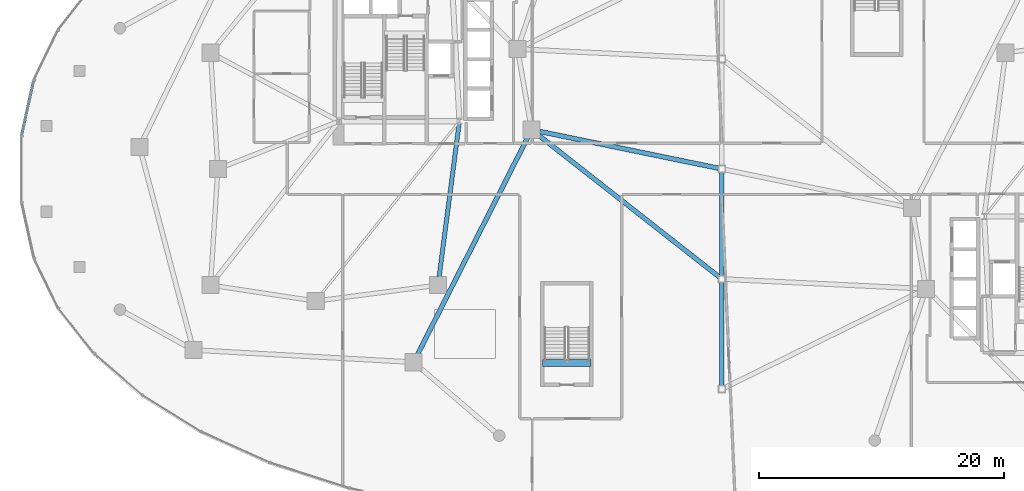
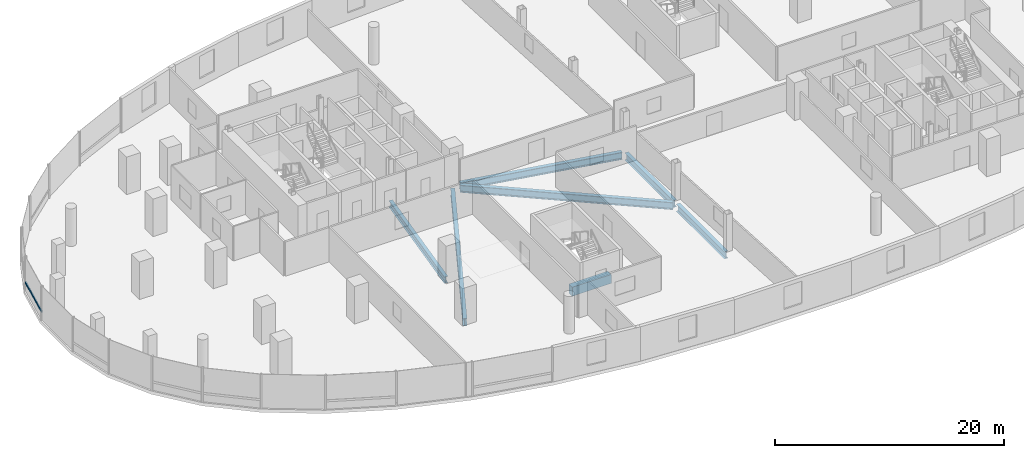
# One storey, part 4 of 19: 7 beams, 1 member, 1 element without a shape of its own.
"""IFC4 building model written with IfcOpenShell, lengths in metres."""

from ifc_helpers import new_model, si_unit, direction, frame, origin, origin_2d, place, context, subcontext, project, spatial, rectangle, i_section, extrude, material, material_profile, profile_set, type_object, element, aggregate, save


model = new_model("IFC4")

# Units and contexts
model_context = context("Model", 3, precision=1e-05, world=origin(), true_north=direction((0.0, 1.0)))
body_context = subcontext(model_context, "Body", "Model", "MODEL_VIEW")
ifc_project = project(units=[si_unit("LENGTHUNIT", "METRE"), si_unit("AREAUNIT", "SQUARE_METRE"), si_unit("VOLUMEUNIT", "CUBIC_METRE"), si_unit("PLANEANGLEUNIT", "RADIAN"), si_unit("MASSUNIT", "GRAM", prefix="KILO"), si_unit("THERMODYNAMICTEMPERATUREUNIT", "KELVIN"), si_unit("POWERUNIT", "WATT")], contexts=[model_context])

# Site, building, storey
site_placement = place(None, origin())
site = spatial("IfcSite", under=ifc_project, at=site_placement, CompositionType="ELEMENT")
building_placement = place(site_placement, origin())
building = spatial("IfcBuilding", under=site, at=building_placement, Name="Cundina Bronze Exchange", CompositionType="ELEMENT")
storey_placement = place(building_placement, frame((0.0, 0.0, 16.0)))
storey = spatial("IfcBuildingStorey", under=building, at=storey_placement, Name="L03", CompositionType="ELEMENT", Elevation=16.0)

# Beams
ifc_material_1 = material(Name="Concrete C60/75", Category="concrete")
ifc_material_profile_1 = material_profile(ifc_material_1, rectangle(XDim=0.60009765625, YDim=0.949951171875, at=origin_2d()), Name="RC600X950", Category="concrete")
ifc_profile_set_1 = profile_set([ifc_material_profile_1], Name="Concrete C60/75")
beam_type_1 = type_object("IfcBeamType", Name="BM-COUP-RC950", PredefinedType="LINTEL", material=ifc_profile_set_1)
beam_1_placement = place(storey_placement, frame((-14.639892578125, -15.8701171875, -0.47509765625), z_axis=(1.0, 0.0, 0.0), x_axis=(0.0, 1.0, 0.0)))
element("IfcBeam", 1, at=beam_1_placement, inside=storey, type_object=beam_type_1, Name="L03 Concourse Stair W Landing Header Beam", PredefinedType="LINTEL", context=body_context, shape_type="SweptSolid", body=[
    extrude(rectangle(XDim=0.60009765625, YDim=0.949951171875, at=origin_2d()), origin(), (0.0, 0.0, 1.0), 3.93994140625),
])
ifc_material_2 = material(Name="Steel ASTM A992 Grade 50", Category="steel")
ifc_material_profile_2 = material_profile(ifc_material_2, i_section(OverallWidth=0.35498046875, OverallDepth=0.695068359375, WebThickness=0.015380859375, FlangeThickness=0.02490234375, FilletRadius=0.01806640625, at=origin_2d()), Name="W27X146", Category="steel")
ifc_profile_set_2 = profile_set([ifc_material_profile_2], Name="Steel ASTM A992 Grade 50")
beam_type_2 = type_object("IfcBeamType", Name="BM-RING-W27", PredefinedType="USERDEFINED", material=ifc_profile_set_2)
beam_2_placement = place(storey_placement, frame((-23.11083984375, -8.81787109375, -0.697509765625), z_axis=(0.129498776905, 0.991579581668, 0.0), x_axis=(-0.991579581668, 0.129498776905, 0.0)))
element("IfcBeam", 2, at=beam_2_placement, inside=storey, type_object=beam_type_2, Name="L03 W Inner Structural Ring Girder 07", ObjectType="GIRDER", PredefinedType="USERDEFINED", context=body_context, shape_type="SweptSolid", body=[
    extrude(i_section(OverallWidth=0.35498046875, OverallDepth=0.695068359375, WebThickness=0.015380859375, FlangeThickness=0.02490234375, FilletRadius=0.01806640625, at=origin_2d()), origin(), (0.0, 0.0, 1.0), 12.621826171875),
])
ifc_material_profile_3 = material_profile(ifc_material_2, i_section(OverallWidth=0.381103515625, OverallDepth=0.77294921875, WebThickness=0.0166015625, FlangeThickness=0.027099609375, FilletRadius=0.01904296875, at=origin_2d()), Name="W30X173", Category="steel")
ifc_profile_set_3 = profile_set([ifc_material_profile_3], Name="Steel ASTM A992 Grade 50")
beam_type_3 = type_object("IfcBeamType", Name="BM-RING-W30", PredefinedType="USERDEFINED", material=ifc_profile_set_3)
for number, where, z_axis, x_axis, name in (
    (3, (0.0, -17.7119140625, -0.736572265625), (0.0, 1.0, 0.0), (-1.0, 0.0, 0.0), "L03 Concourse Spine Longitudinal Girder 01"),
    (4, (0.0, -8.7119140625, -0.736572265625), (0.0, 1.0, 0.0), (-1.0, 0.0, 0.0), "L03 Concourse Spine Longitudinal Girder 02"),
):
    element("IfcBeam", number, at=place(storey_placement, frame(where, z_axis=z_axis, x_axis=x_axis)), inside=storey, type_object=beam_type_3, Name=name, ObjectType="GIRDER", PredefinedType="USERDEFINED", context=body_context, shape_type="SweptSolid", body=[
        extrude(i_section(OverallWidth=0.381103515625, OverallDepth=0.77294921875, WebThickness=0.0166015625, FlangeThickness=0.027099609375, FilletRadius=0.01904296875, at=origin_2d()), origin(), (0.0, 0.0, 1.0), 8.423828125),
    ])
beam_3_placement = place(storey_placement, frame((-15.0087890625, 2.775390625, -0.736572265625), z_axis=(0.786756409396, -0.617263600316, 0.0), x_axis=(0.617263600316, 0.786756409396, 0.0)))
element("IfcBeam", 5, at=beam_3_placement, inside=storey, type_object=beam_type_3, Name="L03 Concourse West Span Girder 02", ObjectType="GIRDER", PredefinedType="USERDEFINED", context=body_context, shape_type="SweptSolid", body=[
    extrude(i_section(OverallWidth=0.381103515625, OverallDepth=0.77294921875, WebThickness=0.0166015625, FlangeThickness=0.027099609375, FilletRadius=0.01904296875, at=origin_2d()), origin(), (0.0, 0.0, 1.0), 18.788818359375),
])
beam_4_placement = place(storey_placement, frame((-14.876220703125, 3.061279296875, -0.736572265625), z_axis=(0.979477217361, -0.201554907336, 0.0), x_axis=(0.201554907336, 0.979477217361, 0.0)))
element("IfcBeam", 6, at=beam_4_placement, inside=storey, type_object=beam_type_3, Name="L03 Concourse West Span Girder 03", ObjectType="GIRDER", PredefinedType="USERDEFINED", context=body_context, shape_type="SweptSolid", body=[
    extrude(i_section(OverallWidth=0.381103515625, OverallDepth=0.77294921875, WebThickness=0.0166015625, FlangeThickness=0.027099609375, FilletRadius=0.01904296875, at=origin_2d()), origin(), (0.0, 0.0, 1.0), 14.900146484375),
])
beam_5_placement = place(storey_placement, frame((-24.888427734375, -15.1865234375, -0.736572265625), z_axis=(0.452833622724, 0.891595037072, 0.0), x_axis=(-0.891595037072, 0.452833622724, 0.0)))
element("IfcBeam", 7, at=beam_5_placement, inside=storey, type_object=beam_type_3, Name="L03 W Podium Ring Girder 12", ObjectType="GIRDER", PredefinedType="USERDEFINED", context=body_context, shape_type="SweptSolid", body=[
    extrude(i_section(OverallWidth=0.381103515625, OverallDepth=0.77294921875, WebThickness=0.0166015625, FlangeThickness=0.027099609375, FilletRadius=0.01904296875, at=origin_2d()), origin(), (0.0, 0.0, 1.0), 19.93408203125),
])

# Curtain wall, member
ifc_material_3 = material(Name="Anodised Bronze Aluminium 6063-T6", Category="aluminium")
curtain_wall_type = type_object("IfcCurtainWallType", Name="CWS-POD-CONC", PredefinedType="NOTDEFINED", material=ifc_material_3)
curtain_wall_placement = place(storey_placement, origin())
curtain_wall = element("IfcCurtainWall", 8, at=curtain_wall_placement, inside=storey, type_object=curtain_wall_type, Name="L03 CW-01 Curtain Wall Run CWR-L03-04", PredefinedType="NOTDEFINED")
ifc_material_profile_4 = material_profile(ifc_material_3, rectangle(XDim=0.080078125, YDim=0.2099609375, at=origin_2d()), Name="AL80X210", Category="aluminium")
ifc_profile_set_4 = profile_set([ifc_material_profile_4], Name="Anodised Bronze Aluminium 6063-T6")
member_type = type_object("IfcMemberType", Name="CWM-TRN-210", PredefinedType="USERDEFINED", material=ifc_profile_set_4)
member_placement = place(storey_placement, frame((-56.249267578125, 7.18603515625, 0.919921875), z_axis=(-0.214447065297, -0.976735612224, 0.0), x_axis=(0.976735612224, -0.214447065297, 0.0)))
member = element("IfcMember", 9, at=member_placement, type_object=member_type, Name="CW-01 Spandrel Transom 1", ObjectType="TRANSOM", PredefinedType="USERDEFINED", context=body_context, shape_type="SweptSolid", body=[
    extrude(rectangle(XDim=0.080078125, YDim=0.2099609375, at=origin_2d()), origin(), (0.0, 0.0, 1.0), 4.571044921875),
])
aggregate(curtain_wall, [member])

save(model, "model.ifc")
